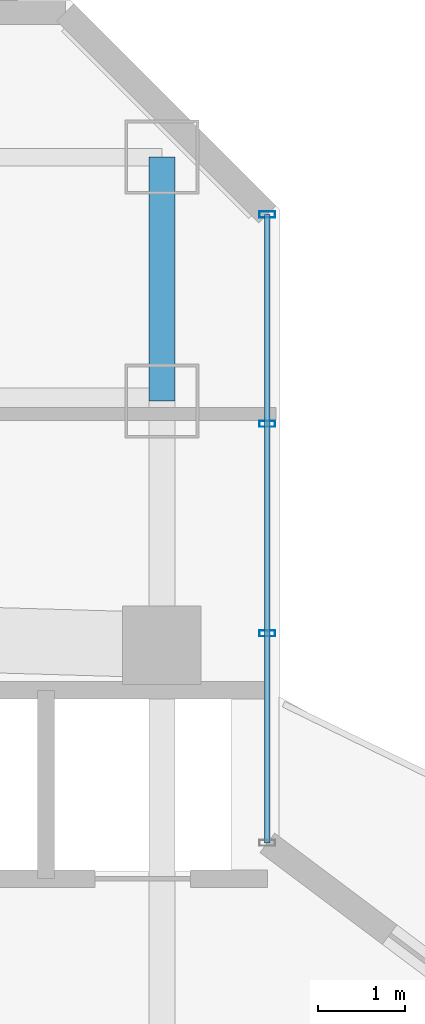
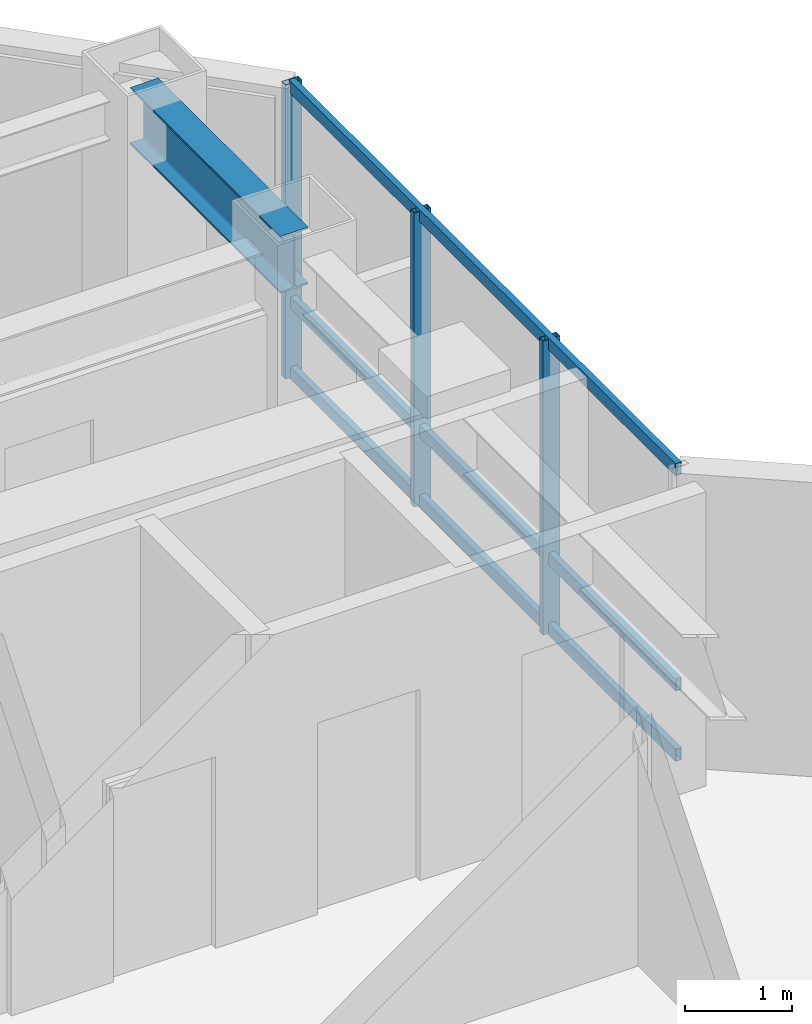
# One storey, part 19 of 28: 6 members, 1 beam, 1 element without a shape of its own.
"""IFC4 building model written with IfcOpenShell, lengths in metres."""

from ifc_helpers import new_model, si_unit, direction, frame, origin, origin_2d, place, context, subcontext, project, spatial, hollow_rectangle, i_section, extrude, material, layer, layer_set, material_profile, profile_set, type_object, element, aggregate, save


model = new_model("IFC4")

# Units and contexts
model_context = context("Model", 3, precision=1e-05, world=origin(), true_north=direction((0.0, 1.0)))
body_context = subcontext(model_context, "Body", "Model", "MODEL_VIEW")
ifc_project = project(units=[si_unit("LENGTHUNIT", "METRE"), si_unit("AREAUNIT", "SQUARE_METRE"), si_unit("VOLUMEUNIT", "CUBIC_METRE"), si_unit("PLANEANGLEUNIT", "RADIAN"), si_unit("MASSUNIT", "GRAM", prefix="KILO")], contexts=[model_context])

# Site, building, storey
site_placement = place(None, origin())
site = spatial("IfcSite", under=ifc_project, at=site_placement, CompositionType="ELEMENT")
building_placement = place(site_placement, origin())
building = spatial("IfcBuilding", under=site, at=building_placement, Name="Hatsunagi Terrace Concourse", CompositionType="ELEMENT")
storey_placement = place(building_placement, frame((0.0, 0.0, 160.050048828125)))
storey = spatial("IfcBuildingStorey", under=building, at=storey_placement, Name="L42", CompositionType="ELEMENT", Elevation=160.050048828125)

# Curtain wall, members
ifc_material_1 = material(Name="Anodised Aluminium Alloy 6063-T5", Category="aluminium")
ifc_layer = layer(ifc_material_1, 0.199951171875)
ifc_layer_set = layer_set([ifc_layer], Name="OfficeZone1_CW03")
curtain_wall_type = type_object("IfcCurtainWallType", Name="OfficeZone1_CW03", PredefinedType="NOTDEFINED", material=ifc_layer_set)
curtain_wall_placement = place(storey_placement, origin())
curtain_wall = element("IfcCurtainWall", 1, at=curtain_wall_placement, inside=storey, type_object=curtain_wall_type, Name="Unitised Curtain Wall CW-03 CW-L42-13", PredefinedType="NOTDEFINED")
ifc_material_2 = material(Name="Anodised Aluminium Alloy 6063-T5", Category="aluminium")
ifc_material_profile_1 = material_profile(ifc_material_2, hollow_rectangle(XDim=0.070068359375, YDim=0.179931640625, WallThickness=0.00390625, at=origin_2d()), Name="ALU-MUL-180x70x4")
ifc_profile_set_1 = profile_set([ifc_material_profile_1], Name="Anodised Aluminium Alloy 6063-T5")
member_type_1 = type_object("IfcMemberType", Name="CurtainWallMullion_180x70", PredefinedType="MULLION", material=ifc_profile_set_1)
member_1_placement = place(storey_placement, frame((44.860107421875, 47.94189453125, 0.0), z_axis=(0.0, 0.0, 1.0), x_axis=(0.0, -1.0, 0.0)))
member_1 = element("IfcMember", 2, at=member_1_placement, type_object=member_type_1, Name="Curtain Wall Mullion MUL-02", PredefinedType="MULLION", context=body_context, shape_type="SweptSolid", body=[
    extrude(hollow_rectangle(XDim=0.070068359375, YDim=0.179931640625, WallThickness=0.00390625, at=origin_2d()), origin(), (0.0, 0.0, 1.0), 3.349853515625),
])
member_2_placement = place(storey_placement, frame((44.860107421875, 45.5380859375, 0.0), z_axis=(0.0, 0.0, 1.0), x_axis=(0.0, -1.0, 0.0)))
member_2 = element("IfcMember", 3, at=member_2_placement, type_object=member_type_1, Name="Curtain Wall Mullion MUL-02", PredefinedType="MULLION", context=body_context, shape_type="SweptSolid", body=[
    extrude(hollow_rectangle(XDim=0.070068359375, YDim=0.179931640625, WallThickness=0.00390625, at=origin_2d()), origin(), (0.0, 0.0, 1.0), 3.349853515625),
])
member_3_placement = place(storey_placement, frame((44.860107421875, 43.134033203125, 0.0), z_axis=(0.0, 0.0, 1.0), x_axis=(0.0, -1.0, 0.0)))
member_3 = element("IfcMember", 4, at=member_3_placement, type_object=member_type_1, Name="Curtain Wall Mullion MUL-02", PredefinedType="MULLION", context=body_context, shape_type="SweptSolid", body=[
    extrude(hollow_rectangle(XDim=0.070068359375, YDim=0.179931640625, WallThickness=0.00390625, at=origin_2d()), origin(), (0.0, 0.0, 1.0), 3.349853515625),
])
ifc_material_3 = material(Name="Anodised Aluminium Alloy 6063-T5", Category="aluminium")
ifc_material_profile_2 = material_profile(ifc_material_3, hollow_rectangle(XDim=0.06494140625, YDim=0.139892578125, WallThickness=0.00390625, at=origin_2d()), Name="ALU-TRN-140x65x4")
ifc_profile_set_2 = profile_set([ifc_material_profile_2], Name="Anodised Aluminium Alloy 6063-T5")
member_type_2 = type_object("IfcMemberType", Name="CurtainWallTransom_140x65", PredefinedType="USERDEFINED", material=ifc_profile_set_2)
member_4_placement = place(storey_placement, frame((44.860107421875, 47.94189453125, 0.050048828125), z_axis=(0.0, -1.0, 0.0), x_axis=(1.0, 0.0, 0.0)))
member_4 = element("IfcMember", 5, at=member_4_placement, type_object=member_type_2, Name="Curtain Wall Transom TRN-02", ObjectType="TRANSOM", PredefinedType="USERDEFINED", context=body_context, shape_type="SweptSolid", body=[
    extrude(hollow_rectangle(XDim=0.06494140625, YDim=0.139892578125, WallThickness=0.00390625, at=origin_2d()), origin(), (0.0, 0.0, 1.0), 7.2119140625),
])
member_5_placement = place(storey_placement, frame((44.860107421875, 47.94189453125, 0.849853515625), z_axis=(0.0, -1.0, 0.0), x_axis=(1.0, 0.0, 0.0)))
member_5 = element("IfcMember", 6, at=member_5_placement, type_object=member_type_2, Name="Curtain Wall Transom TRN-02", ObjectType="TRANSOM", PredefinedType="USERDEFINED", context=body_context, shape_type="SweptSolid", body=[
    extrude(hollow_rectangle(XDim=0.06494140625, YDim=0.139892578125, WallThickness=0.00390625, at=origin_2d()), origin(), (0.0, 0.0, 1.0), 7.2119140625),
])
member_6_placement = place(storey_placement, frame((44.860107421875, 47.94189453125, 3.300048828125), z_axis=(0.0, -1.0, 0.0), x_axis=(1.0, 0.0, 0.0)))
member_6 = element("IfcMember", 7, at=member_6_placement, type_object=member_type_2, Name="Curtain Wall Transom TRN-02", ObjectType="TRANSOM", PredefinedType="USERDEFINED", context=body_context, shape_type="SweptSolid", body=[
    extrude(hollow_rectangle(XDim=0.06494140625, YDim=0.139892578125, WallThickness=0.00390625, at=origin_2d()), origin(), (0.0, 0.0, 1.0), 7.2119140625),
])
aggregate(curtain_wall, [member_1, member_2, member_3, member_4, member_5, member_6])

# Beam
ifc_material_4 = material(Name="Steel SN490B", Category="steel")
ifc_material_profile_3 = material_profile(ifc_material_4, i_section(OverallWidth=0.300048828125, OverallDepth=0.64990234375, WebThickness=0.012939453125, FlangeThickness=0.02197265625, FilletRadius=0.01806640625, at=origin_2d()), Name="H-650x300x13x22")
ifc_profile_set_3 = profile_set([ifc_material_profile_3], Name="Steel SN490B")
beam_type = type_object("IfcBeamType", Name="OfficeLowGirder_H_650x300", PredefinedType="BEAM", material=ifc_profile_set_3)
beam_placement = place(storey_placement, frame((43.64990234375, 45.800048828125, 3.02490234375), z_axis=(0.0, 1.0, 0.0), x_axis=(-1.0, 0.0, 0.0)))
element("IfcBeam", 8, at=beam_placement, inside=storey, type_object=beam_type, Name="Beam G-05 BM-L42-KN-WN6", PredefinedType="BEAM", context=body_context, shape_type="SweptSolid", body=[
    extrude(i_section(OverallWidth=0.300048828125, OverallDepth=0.64990234375, WebThickness=0.012939453125, FlangeThickness=0.02197265625, FilletRadius=0.01806640625, at=origin_2d()), origin(), (0.0, 0.0, 1.0), 2.800048828125),
])

save(model, "model.ifc")
